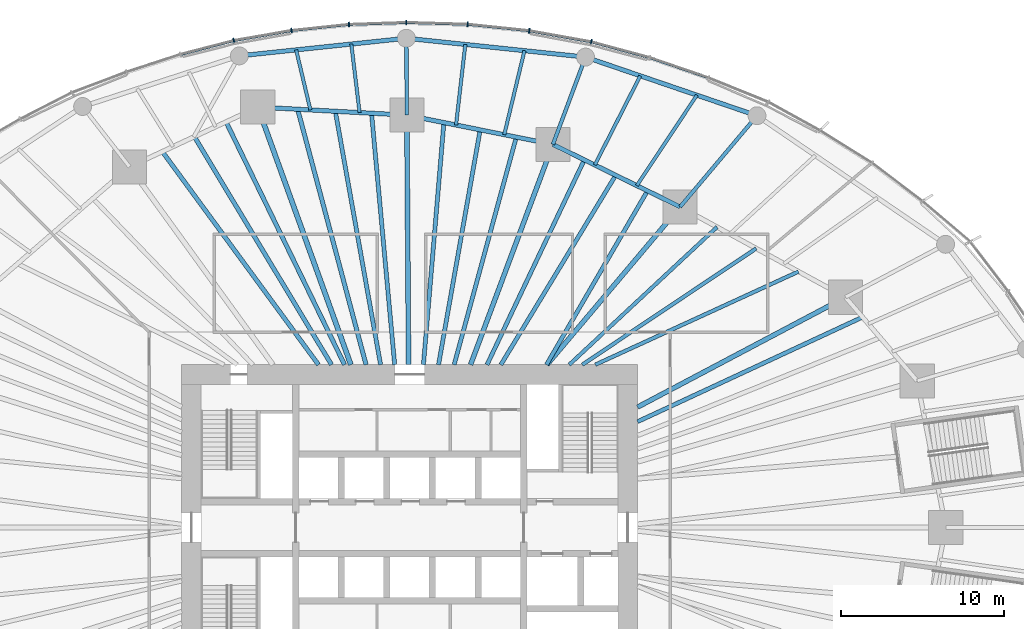
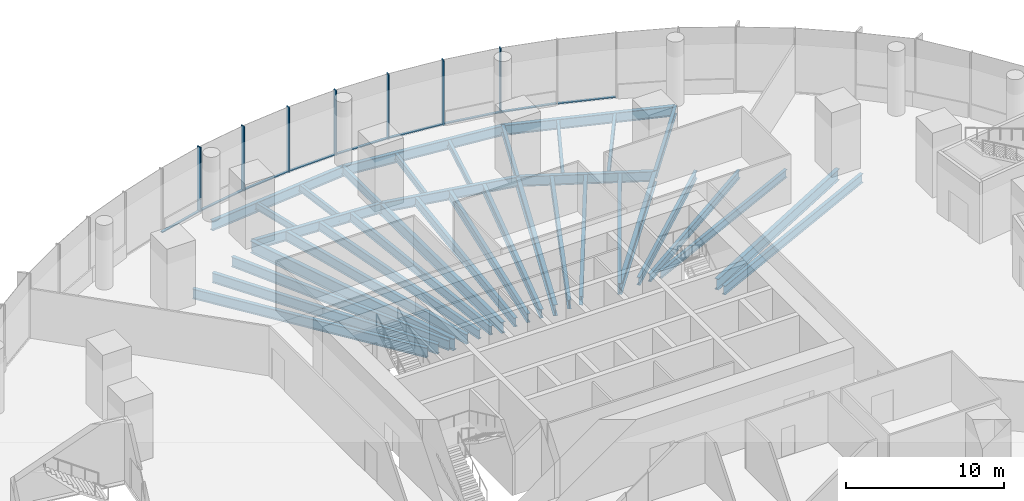
# One storey, part 6 of 28: 36 beams, 16 members, 4 elements without a shape of their own.
"""IFC4 building model written with IfcOpenShell, lengths in metres."""

from ifc_helpers import new_model, si_unit, direction, frame, origin, origin_2d, place, context, subcontext, project, spatial, rectangle, i_section, extrude, material, material_profile, profile_set, type_object, element, aggregate, save


model = new_model("IFC4")

# Units and contexts
model_context = context("Model", 3, precision=1e-05, world=origin(), true_north=direction((0.0, 1.0)))
body_context = subcontext(model_context, "Body", "Model", "MODEL_VIEW")
ifc_project = project(units=[si_unit("LENGTHUNIT", "METRE"), si_unit("AREAUNIT", "SQUARE_METRE"), si_unit("VOLUMEUNIT", "CUBIC_METRE"), si_unit("PLANEANGLEUNIT", "RADIAN"), si_unit("MASSUNIT", "GRAM", prefix="KILO")], contexts=[model_context])

# Site, building, storey
site_placement = place(None, origin())
site = spatial("IfcSite", under=ifc_project, at=site_placement, CompositionType="ELEMENT")
building_placement = place(site_placement, origin())
building = spatial("IfcBuilding", under=site, at=building_placement, Name="Ghaith Harvest Tower", CompositionType="ELEMENT")
storey_placement = place(building_placement, frame((0.0, 0.0, 5.0)))
storey = spatial("IfcBuildingStorey", under=building, at=storey_placement, Name="L01", CompositionType="ELEMENT", Elevation=5.0)

# Curtain wall, members
ifc_material_1 = material(Name="Black anodised aluminium and fritted glass", Category="aluminium")
curtain_wall_type = type_object("IfcCurtainWallType", Name="CW-P CURTAIN WALL", PredefinedType="NOTDEFINED", material=ifc_material_1)
curtain_wall_1_placement = place(storey_placement, origin())
curtain_wall_1 = element("IfcCurtainWall", 1, at=curtain_wall_1_placement, inside=storey, type_object=curtain_wall_type, Name="Curtain wall CW-P bay 05 L01", PredefinedType="NOTDEFINED")
ifc_material_2 = material(Name="Aluminium, black anodised", Category="aluminium")
ifc_material_profile_1 = material_profile(ifc_material_2, rectangle(XDim=0.080078125, YDim=0.300048828125, at=origin_2d()), Name="CW-P MULLION 80x300")
ifc_profile_set_1 = profile_set([ifc_material_profile_1], Name="Aluminium, black anodised")
member_type_1 = type_object("IfcMemberType", Name="CW-P MULLION 80x300", PredefinedType="MULLION", material=ifc_profile_set_1)
member_1_placement = place(storey_placement, frame((11.15234375, 29.832275390625, 0.0), z_axis=(0.0, 0.0, 1.0), x_axis=(-0.975988069156, 0.217823985973, 0.0)))
member_1 = element("IfcMember", 2, at=member_1_placement, type_object=member_type_1, Name="CW-P mullion 1 bay 05 L01", PredefinedType="MULLION", context=body_context, shape_type="SweptSolid", body=[
    extrude(rectangle(XDim=0.080078125, YDim=0.300048828125, at=origin_2d()), origin(), (0.0, 0.0, 1.0), 5.0),
])
member_2_placement = place(storey_placement, frame((7.34521484375, 30.514404296875, 0.0), z_axis=(0.0, 0.0, 1.0), x_axis=(-0.990090087046, 0.140433683755, 0.0)))
member_2 = element("IfcMember", 3, at=member_2_placement, type_object=member_type_1, Name="CW-P mullion 2 bay 05 L01", PredefinedType="MULLION", context=body_context, shape_type="SweptSolid", body=[
    extrude(rectangle(XDim=0.080078125, YDim=0.300048828125, at=origin_2d()), origin(), (0.0, 0.0, 1.0), 5.0),
])
member_3_placement = place(storey_placement, frame((3.560546875, 30.908935546875, 0.0), z_axis=(0.0, 0.0, 1.0), x_axis=(-0.997771996007, 0.066716144852, 0.0)))
member_3 = element("IfcMember", 4, at=member_3_placement, type_object=member_type_1, Name="CW-P mullion 3 bay 05 L01", PredefinedType="MULLION", context=body_context, shape_type="SweptSolid", body=[
    extrude(rectangle(XDim=0.080078125, YDim=0.300048828125, at=origin_2d()), origin(), (0.0, 0.0, 1.0), 5.0),
])

curtain_wall_2_placement = place(storey_placement, origin())
curtain_wall_2 = element("IfcCurtainWall", 5, at=curtain_wall_2_placement, inside=storey, type_object=curtain_wall_type, Name="Curtain wall CW-P bay 06 L01", PredefinedType="NOTDEFINED")
member_4_placement = place(storey_placement, frame((-0.21240234375, 31.019775390625, 0.0), z_axis=(0.0, 0.0, 1.0), x_axis=(-0.999998805287, -0.001545776643, 0.0)))
member_4 = element("IfcMember", 6, at=member_4_placement, type_object=member_type_1, Name="CW-P mullion 1 bay 06 L01", PredefinedType="MULLION", context=body_context, shape_type="SweptSolid", body=[
    extrude(rectangle(XDim=0.080078125, YDim=0.300048828125, at=origin_2d()), origin(), (0.0, 0.0, 1.0), 5.0),
])
member_5_placement = place(storey_placement, frame((-3.728515625, 30.897705078125, 0.0), z_axis=(0.0, 0.0, 1.0), x_axis=(-0.997563976527, -0.069757528158, 0.0)))
member_5 = element("IfcMember", 7, at=member_5_placement, type_object=member_type_1, Name="CW-P mullion 2 bay 06 L01", PredefinedType="MULLION", context=body_context, shape_type="SweptSolid", body=[
    extrude(rectangle(XDim=0.080078125, YDim=0.300048828125, at=origin_2d()), origin(), (0.0, 0.0, 1.0), 5.0),
])
member_6_placement = place(storey_placement, frame((-7.255615234375, 30.527099609375, 0.0), z_axis=(0.0, 0.0, 1.0), x_axis=(-0.990385532567, -0.138334727678, 0.0)))
member_6 = element("IfcMember", 8, at=member_6_placement, type_object=member_type_1, Name="CW-P mullion 3 bay 06 L01", PredefinedType="MULLION", context=body_context, shape_type="SweptSolid", body=[
    extrude(rectangle(XDim=0.080078125, YDim=0.300048828125, at=origin_2d()), origin(), (0.0, 0.0, 1.0), 5.0),
])

# Curtain wall, member
curtain_wall_3_placement = place(storey_placement, origin())
curtain_wall_3 = element("IfcCurtainWall", 9, at=curtain_wall_3_placement, inside=storey, type_object=curtain_wall_type, Name="Curtain wall CW-P bay 07 L01", PredefinedType="NOTDEFINED")
member_7_placement = place(storey_placement, frame((-10.802734375, 29.90966796875, 0.0), z_axis=(0.0, 0.0, 1.0), x_axis=(-0.97763881299, -0.21029111093, 0.0)))
member_7 = element("IfcMember", 10, at=member_7_placement, type_object=member_type_1, Name="CW-P mullion 1 bay 07 L01", PredefinedType="MULLION", context=body_context, shape_type="SweptSolid", body=[
    extrude(rectangle(XDim=0.080078125, YDim=0.300048828125, at=origin_2d()), origin(), (0.0, 0.0, 1.0), 5.0),
])

# Curtain wall, members
curtain_wall_4_placement = place(storey_placement, origin())
curtain_wall_4 = element("IfcCurtainWall", 11, at=curtain_wall_4_placement, inside=storey, type_object=curtain_wall_type, Name="Curtain wall CW-P bay 04 L01", PredefinedType="NOTDEFINED")
ifc_material_3 = material(Name="Aluminium, black anodised", Category="aluminium")
ifc_material_profile_2 = material_profile(ifc_material_3, rectangle(XDim=0.179931640625, YDim=0.080078125, at=origin_2d()), Name="CW-P TRANSOM 180x80")
ifc_profile_set_2 = profile_set([ifc_material_profile_2], Name="Aluminium, black anodised")
member_type_2 = type_object("IfcMemberType", Name="CW-P TRANSOM 180x80", PredefinedType="USERDEFINED", material=ifc_profile_set_2)
member_8_placement = place(storey_placement, frame((18.3095703125, 27.6357421875, 0.0400390625), z_axis=(-0.945637034145, 0.325223922328, 0.0), x_axis=(-0.325223922328, -0.945637034145, 0.0)))
member_8 = element("IfcMember", 12, at=member_8_placement, type_object=member_type_2, Name="CW-P transom 2 bay 04 L01", ObjectType="TRANSOM", PredefinedType="USERDEFINED", context=body_context, shape_type="SweptSolid", body=[
    extrude(rectangle(XDim=0.179931640625, YDim=0.080078125, at=origin_2d()), origin(), (0.0, 0.0, 1.0), 3.7392578125),
])
member_9_placement = place(storey_placement, frame((14.697265625, 28.875244140625, 0.0400390625), z_axis=(-0.965441599802, 0.260619487706, 0.0), x_axis=(-0.260619487706, -0.965441599802, 0.0)))
member_9 = element("IfcMember", 13, at=member_9_placement, type_object=member_type_2, Name="CW-P transom 3 bay 04 L01", ObjectType="TRANSOM", PredefinedType="USERDEFINED", context=body_context, shape_type="SweptSolid", body=[
    extrude(rectangle(XDim=0.179931640625, YDim=0.080078125, at=origin_2d()), origin(), (0.0, 0.0, 1.0), 3.6318359375),
])
aggregate(curtain_wall_4, [member_8, member_9])

# Member
member_10_placement = place(storey_placement, frame((11.113037109375, 29.83935546875, 0.0400390625), z_axis=(-0.98432862906, 0.176343840303, 0.0), x_axis=(-0.176343840303, -0.98432862906, 0.0)))
member_10 = element("IfcMember", 14, at=member_10_placement, type_object=member_type_2, Name="CW-P transom 1 bay 05 L01", ObjectType="TRANSOM", PredefinedType="USERDEFINED", context=body_context, shape_type="SweptSolid", body=[
    extrude(rectangle(XDim=0.179931640625, YDim=0.080078125, at=origin_2d()), origin(), (0.0, 0.0, 1.0), 3.787841796875),
])

member_11_placement = place(storey_placement, frame((7.305419921875, 30.5185546875, 0.0400390625), z_axis=(-0.994610526776, 0.103681724655, 0.0), x_axis=(-0.103681724655, -0.994610526776, 0.0)))
member_11 = element("IfcMember", 15, at=member_11_placement, type_object=member_type_2, Name="CW-P transom 2 bay 05 L01", ObjectType="TRANSOM", PredefinedType="USERDEFINED", context=body_context, shape_type="SweptSolid", body=[
    extrude(rectangle(XDim=0.179931640625, YDim=0.080078125, at=origin_2d()), origin(), (0.0, 0.0, 1.0), 3.72509765625),
])

member_12_placement = place(storey_placement, frame((3.5205078125, 30.91015625, 0.0400390625), z_axis=(-0.999569466238, 0.029340793535, 0.0), x_axis=(-0.029340793535, -0.999569466238, 0.0)))
member_12 = element("IfcMember", 16, at=member_12_placement, type_object=member_type_2, Name="CW-P transom 3 bay 05 L01", ObjectType="TRANSOM", PredefinedType="USERDEFINED", context=body_context, shape_type="SweptSolid", body=[
    extrude(rectangle(XDim=0.179931640625, YDim=0.080078125, at=origin_2d()), origin(), (0.0, 0.0, 1.0), 3.694580078125),
])

aggregate(curtain_wall_1, [member_1, member_10, member_2, member_11, member_3, member_12])

member_13_placement = place(storey_placement, frame((-0.252197265625, 31.018310546875, 0.0400390625), z_axis=(-0.999399573499, -0.034648123889, 0.0), x_axis=(0.034648123889, -0.999399573499, 0.0)))
member_13 = element("IfcMember", 17, at=member_13_placement, type_object=member_type_2, Name="CW-P transom 1 bay 06 L01", ObjectType="TRANSOM", PredefinedType="USERDEFINED", context=body_context, shape_type="SweptSolid", body=[
    extrude(rectangle(XDim=0.179931640625, YDim=0.080078125, at=origin_2d()), origin(), (0.0, 0.0, 1.0), 3.4384765625),
])

member_14_placement = place(storey_placement, frame((-3.768310546875, 30.8935546875, 0.0400390625), z_axis=(-0.994523190506, -0.104516140125, 0.0), x_axis=(0.104516140125, -0.994523190506, 0.0)))
member_14 = element("IfcMember", 18, at=member_14_placement, type_object=member_type_2, Name="CW-P transom 2 bay 06 L01", ObjectType="TRANSOM", PredefinedType="USERDEFINED", context=body_context, shape_type="SweptSolid", body=[
    extrude(rectangle(XDim=0.179931640625, YDim=0.080078125, at=origin_2d()), origin(), (0.0, 0.0, 1.0), 3.466552734375),
])

member_15_placement = place(storey_placement, frame((-7.294921875, 30.520263671875, 0.0400390625), z_axis=(-0.985183747241, -0.171502140429, 0.0), x_axis=(0.171502140429, -0.985183747241, 0.0)))
member_15 = element("IfcMember", 19, at=member_15_placement, type_object=member_type_2, Name="CW-P transom 3 bay 06 L01", ObjectType="TRANSOM", PredefinedType="USERDEFINED", context=body_context, shape_type="SweptSolid", body=[
    extrude(rectangle(XDim=0.179931640625, YDim=0.080078125, at=origin_2d()), origin(), (0.0, 0.0, 1.0), 3.5205078125),
])

aggregate(curtain_wall_2, [member_4, member_13, member_5, member_14, member_6, member_15])

member_16_placement = place(storey_placement, frame((-10.84130859375, 29.899658203125, 0.0400390625), z_axis=(-0.967935730802, -0.251197971801, 0.0), x_axis=(0.251197971801, -0.967935730802, 0.0)))
member_16 = element("IfcMember", 20, at=member_16_placement, type_object=member_type_2, Name="CW-P transom 1 bay 07 L01", ObjectType="TRANSOM", PredefinedType="USERDEFINED", context=body_context, shape_type="SweptSolid", body=[
    extrude(rectangle(XDim=0.179931640625, YDim=0.080078125, at=origin_2d()), origin(), (0.0, 0.0, 1.0), 3.305419921875),
])

aggregate(curtain_wall_3, [member_7, member_16])

# Beams
ifc_material_4 = material(Name="Steel ASTM A992 Grade 50", Category="steel")
ifc_material_profile_3 = material_profile(ifc_material_4, i_section(OverallWidth=0.26806640625, OverallDepth=0.77001953125, WebThickness=0.015625, FlangeThickness=0.025390625, at=origin_2d()), Name="W760X196")
ifc_profile_set_3 = profile_set([ifc_material_profile_3], Name="Steel ASTM A992 Grade 50")
beam_type_1 = type_object("IfcBeamType", Name="E760-196 W760X196", PredefinedType="SPANDREL", material=ifc_profile_set_3)
beam_1_placement = place(storey_placement, frame((16.60791015625, 19.695068359375, -0.635009765625), z_axis=(-0.897823733825, 0.440355019252, 0.0), x_axis=(-0.440355019252, -0.897823733825, 0.0)))
element("IfcBeam", 21, at=beam_1_placement, inside=storey, type_object=beam_type_1, Name="Edge beam E04 L01", PredefinedType="SPANDREL", context=body_context, shape_type="SweptSolid", body=[
    extrude(i_section(OverallWidth=0.26806640625, OverallDepth=0.77001953125, WebThickness=0.015625, FlangeThickness=0.025390625, at=origin_2d()), origin(), (0.0, 0.0, 1.0), 8.7021484375),
])
beam_2_placement = place(storey_placement, frame((8.794921875, 23.527099609375, -0.635009765625), z_axis=(-0.980450082464, 0.196767974517, 0.0), x_axis=(-0.196767974517, -0.980450082464, 0.0)))
element("IfcBeam", 22, at=beam_2_placement, inside=storey, type_object=beam_type_1, Name="Edge beam E05 L01", PredefinedType="SPANDREL", context=body_context, shape_type="SweptSolid", body=[
    extrude(i_section(OverallWidth=0.26806640625, OverallDepth=0.77001953125, WebThickness=0.015625, FlangeThickness=0.025390625, at=origin_2d()), origin(), (0.0, 0.0, 1.0), 9.146728515625),
])
beam_3_placement = place(storey_placement, frame((-0.173095703125, 25.326904296875, -0.635009765625), z_axis=(-0.998545840532, 0.053909223293, 0.0), x_axis=(-0.053909223293, -0.998545840532, 0.0)))
element("IfcBeam", 23, at=beam_3_placement, inside=storey, type_object=beam_type_1, Name="Edge beam E06 L01", PredefinedType="SPANDREL", context=body_context, shape_type="SweptSolid", body=[
    extrude(i_section(OverallWidth=0.26806640625, OverallDepth=0.77001953125, WebThickness=0.015625, FlangeThickness=0.025390625, at=origin_2d()), origin(), (0.0, 0.0, 1.0), 9.166259765625),
])
beam_4_placement = place(storey_placement, frame((21.327880859375, 25.2919921875, -0.635009765625), z_axis=(-0.946196876199, 0.323591519468, 0.0), x_axis=(-0.323591519468, -0.946196876199, 0.0)))
element("IfcBeam", 24, at=beam_4_placement, inside=storey, type_object=beam_type_1, Name="Podium edge beam PE04 L01", PredefinedType="SPANDREL", context=body_context, shape_type="SweptSolid", body=[
    extrude(i_section(OverallWidth=0.26806640625, OverallDepth=0.77001953125, WebThickness=0.015625, FlangeThickness=0.025390625, at=origin_2d()), origin(), (0.0, 0.0, 1.0), 11.12548828125),
])
beam_5_placement = place(storey_placement, frame((10.801025390625, 28.89208984375, -0.635009765625), z_axis=(-0.994521034138, 0.104536656999, 0.0), x_axis=(-0.104536656999, -0.994521034138, 0.0)))
element("IfcBeam", 25, at=beam_5_placement, inside=storey, type_object=beam_type_1, Name="Podium edge beam PE05 L01", PredefinedType="SPANDREL", context=body_context, shape_type="SweptSolid", body=[
    extrude(i_section(OverallWidth=0.26806640625, OverallDepth=0.77001953125, WebThickness=0.015625, FlangeThickness=0.025390625, at=origin_2d()), origin(), (0.0, 0.0, 1.0), 11.067626953125),
])
beam_6_placement = place(storey_placement, frame((-0.2060546875, 30.049072265625, -0.635009765625), z_axis=(-0.994480518853, -0.10492138782, 0.0), x_axis=(0.10492138782, -0.994480518853, 0.0)))
element("IfcBeam", 26, at=beam_6_placement, inside=storey, type_object=beam_type_1, Name="Podium edge beam PE06 L01", PredefinedType="SPANDREL", context=body_context, shape_type="SweptSolid", body=[
    extrude(i_section(OverallWidth=0.26806640625, OverallDepth=0.77001953125, WebThickness=0.015625, FlangeThickness=0.025390625, at=origin_2d()), origin(), (0.0, 0.0, 1.0), 10.312744140625),
])
ifc_material_5 = material(Name="Steel ASTM A992 Grade 50", Category="steel")
ifc_material_profile_4 = material_profile(ifc_material_5, i_section(OverallWidth=0.22802734375, OverallDepth=0.60302734375, WebThickness=0.010498046875, FlangeThickness=0.014892578125, at=origin_2d()), Name="W610X101")
ifc_profile_set_4 = profile_set([ifc_material_profile_4], Name="Steel ASTM A992 Grade 50")
beam_type_2 = type_object("IfcBeamType", Name="G610-101 W610X101", PredefinedType="BEAM", material=ifc_profile_set_4)
beam_7_placement = place(storey_placement, frame((16.60791015625, 19.695068359375, -0.551513671875), z_axis=(0.644676739739, 0.764455297084, 0.0), x_axis=(-0.764455297084, 0.644676739739, 0.0)))
element("IfcBeam", 27, at=beam_7_placement, inside=storey, type_object=beam_type_2, Name="Podium radial beam PR04 L01", PredefinedType="BEAM", context=body_context, shape_type="SweptSolid", body=[
    extrude(i_section(OverallWidth=0.22802734375, OverallDepth=0.60302734375, WebThickness=0.010498046875, FlangeThickness=0.014892578125, at=origin_2d()), origin(), (0.0, 0.0, 1.0), 7.321533203125),
])
beam_8_placement = place(storey_placement, frame((8.794921875, 23.527099609375, -0.551513671875), z_axis=(0.350240445637, 0.936659826319, 0.0), x_axis=(-0.936659826319, 0.350240445637, 0.0)))
element("IfcBeam", 28, at=beam_8_placement, inside=storey, type_object=beam_type_2, Name="Podium radial beam PR05 L01", PredefinedType="BEAM", context=body_context, shape_type="SweptSolid", body=[
    extrude(i_section(OverallWidth=0.22802734375, OverallDepth=0.60302734375, WebThickness=0.010498046875, FlangeThickness=0.014892578125, at=origin_2d()), origin(), (0.0, 0.0, 1.0), 5.727783203125),
])
beam_9_placement = place(storey_placement, frame((-0.173095703125, 25.326904296875, -0.551513671875), z_axis=(-0.00697945982, 0.999975643274, 0.0), x_axis=(-0.999975643274, -0.00697945982, 0.0)))
element("IfcBeam", 29, at=beam_9_placement, inside=storey, type_object=beam_type_2, Name="Podium radial beam PR06 L01", PredefinedType="BEAM", context=body_context, shape_type="SweptSolid", body=[
    extrude(i_section(OverallWidth=0.22802734375, OverallDepth=0.60302734375, WebThickness=0.010498046875, FlangeThickness=0.014892578125, at=origin_2d()), origin(), (0.0, 0.0, 1.0), 4.72216796875),
])
ifc_material_6 = material(Name="Steel ASTM A992 Grade 50", Category="steel")
ifc_material_profile_5 = material_profile(ifc_material_6, i_section(OverallWidth=0.2939453125, OverallDepth=0.85107421875, WebThickness=0.01611328125, FlangeThickness=0.02685546875, at=origin_2d()), Name="W840X226")
ifc_profile_set_5 = profile_set([ifc_material_profile_5], Name="Steel ASTM A992 Grade 50")
beam_type_3 = type_object("IfcBeamType", Name="G840-226 W840X226", PredefinedType="BEAM", material=ifc_profile_set_5)
beam_10_placement = place(storey_placement, frame((14.0, 7.39990234375, -0.675537109375), z_axis=(0.884082663971, 0.467330550324, 0.0), x_axis=(-0.467330550324, 0.884082663971, 0.0)))
element("IfcBeam", 30, at=beam_10_placement, inside=storey, type_object=beam_type_3, Name="Radial girder G03 L01", PredefinedType="BEAM", context=body_context, shape_type="SweptSolid", body=[
    extrude(i_section(OverallWidth=0.2939453125, OverallDepth=0.85107421875, WebThickness=0.01611328125, FlangeThickness=0.02685546875, at=origin_2d()), origin(), (0.0, 0.0, 1.0), 14.4375),
])
beam_11_placement = place(storey_placement, frame((8.4326171875, 10.0, -0.675537109375), z_axis=(0.644644245772, 0.764482698557, 0.0), x_axis=(-0.764482698557, 0.644644245772, 0.0)))
element("IfcBeam", 31, at=beam_11_placement, inside=storey, type_object=beam_type_3, Name="Radial girder G04 L01", PredefinedType="BEAM", context=body_context, shape_type="SweptSolid", body=[
    extrude(i_section(OverallWidth=0.2939453125, OverallDepth=0.85107421875, WebThickness=0.01611328125, FlangeThickness=0.02685546875, at=origin_2d()), origin(), (0.0, 0.0, 1.0), 12.681884765625),
])
beam_12_placement = place(storey_placement, frame((3.73828125, 10.0, -0.675537109375), z_axis=(0.350150596156, 0.936693418367, 0.0), x_axis=(-0.936693418367, 0.350150596156, 0.0)))
element("IfcBeam", 32, at=beam_12_placement, inside=storey, type_object=beam_type_3, Name="Radial girder G05 L01", PredefinedType="BEAM", context=body_context, shape_type="SweptSolid", body=[
    extrude(i_section(OverallWidth=0.2939453125, OverallDepth=0.85107421875, WebThickness=0.01611328125, FlangeThickness=0.02685546875, at=origin_2d()), origin(), (0.0, 0.0, 1.0), 14.44140625),
])
beam_13_placement = place(storey_placement, frame((-0.068359375, 10.0, -0.675537109375), z_axis=(-0.006833335732, 0.999976652489, 0.0), x_axis=(-0.999976652489, -0.006833335732, 0.0)))
element("IfcBeam", 33, at=beam_13_placement, inside=storey, type_object=beam_type_3, Name="Radial girder G06 L01", PredefinedType="BEAM", context=body_context, shape_type="SweptSolid", body=[
    extrude(i_section(OverallWidth=0.2939453125, OverallDepth=0.85107421875, WebThickness=0.01611328125, FlangeThickness=0.02685546875, at=origin_2d()), origin(), (0.0, 0.0, 1.0), 15.3271484375),
])
ifc_material_7 = material(Name="Steel ASTM A992 Grade 50", Category="steel")
ifc_material_profile_6 = material_profile(ifc_material_7, i_section(OverallWidth=0.31005859375, OverallDepth=0.927001953125, WebThickness=0.019287109375, FlangeThickness=0.031982421875, at=origin_2d()), Name="W920X289")
ifc_profile_set_6 = profile_set([ifc_material_profile_6], Name="Steel ASTM A992 Grade 50")
beam_type_4 = type_object("IfcBeamType", Name="G920-289 W920X289", PredefinedType="BEAM", material=ifc_profile_set_6)
beam_14_placement = place(storey_placement, frame((-3.61181640625, 10.0, -0.71337890625), z_axis=(-0.339694751271, 0.940535738799, 0.0), x_axis=(-0.940535738799, -0.339694751271, 0.0)))
element("IfcBeam", 34, at=beam_14_placement, inside=storey, type_object=beam_type_4, Name="Radial girder G07 L01", PredefinedType="BEAM", context=body_context, shape_type="SweptSolid", body=[
    extrude(i_section(OverallWidth=0.31005859375, OverallDepth=0.927001953125, WebThickness=0.019287109375, FlangeThickness=0.031982421875, at=origin_2d()), origin(), (0.0, 0.0, 1.0), 16.8212890625),
])
ifc_material_8 = material(Name="Steel ASTM A992 Grade 50", Category="steel")
ifc_material_profile_7 = material_profile(ifc_material_8, i_section(OverallWidth=0.208984375, OverallDepth=0.532958984375, WebThickness=0.01025390625, FlangeThickness=0.015625, at=origin_2d()), Name="W530X92")
ifc_profile_set_7 = profile_set([ifc_material_profile_7], Name="Steel ASTM A992 Grade 50")
beam_type_5 = type_object("IfcBeamType", Name="J530-92 W530X92", PredefinedType="JOIST", material=ifc_profile_set_7)
beam_15_placement = place(storey_placement, frame((13.947998046875, 20.99951171875, -0.5166015625), z_axis=(0.553279971475, 0.832995362031, 0.0), x_axis=(-0.832995362031, 0.553279971475, 0.0)))
element("IfcBeam", 35, at=beam_15_placement, inside=storey, type_object=beam_type_5, Name="Podium joist PJ04.1 L01", PredefinedType="JOIST", context=body_context, shape_type="SweptSolid", body=[
    extrude(i_section(OverallWidth=0.208984375, OverallDepth=0.532958984375, WebThickness=0.01025390625, FlangeThickness=0.015625, at=origin_2d()), origin(), (0.0, 0.0, 1.0), 6.668212890625),
])
beam_16_placement = place(storey_placement, frame((11.366943359375, 22.265625, -0.5166015625), z_axis=(0.45469406772, 0.89064768836, 0.0), x_axis=(-0.89064768836, 0.45469406772, 0.0)))
element("IfcBeam", 36, at=beam_16_placement, inside=storey, type_object=beam_type_5, Name="Podium joist PJ04.2 L01", PredefinedType="JOIST", context=body_context, shape_type="SweptSolid", body=[
    extrude(i_section(OverallWidth=0.208984375, OverallDepth=0.532958984375, WebThickness=0.01025390625, FlangeThickness=0.015625, at=origin_2d()), origin(), (0.0, 0.0, 1.0), 6.14892578125),
])
beam_17_placement = place(storey_placement, frame((5.8076171875, 24.126708984375, -0.5166015625), z_axis=(0.234018407734, 0.972232166122, 0.0), x_axis=(-0.972232166122, 0.234018407734, 0.0)))
element("IfcBeam", 37, at=beam_17_placement, inside=storey, type_object=beam_type_5, Name="Podium joist PJ05.1 L01", PredefinedType="JOIST", context=body_context, shape_type="SweptSolid", body=[
    extrude(i_section(OverallWidth=0.208984375, OverallDepth=0.532958984375, WebThickness=0.01025390625, FlangeThickness=0.015625, at=origin_2d()), origin(), (0.0, 0.0, 1.0), 5.30712890625),
])
beam_18_placement = place(storey_placement, frame((2.84765625, 24.720703125, -0.5166015625), z_axis=(0.114417568625, 0.99343274558, 0.0), x_axis=(-0.99343274558, 0.114417568625, 0.0)))
element("IfcBeam", 38, at=beam_18_placement, inside=storey, type_object=beam_type_5, Name="Podium joist PJ05.2 L01", PredefinedType="JOIST", context=body_context, shape_type="SweptSolid", body=[
    extrude(i_section(OverallWidth=0.208984375, OverallDepth=0.532958984375, WebThickness=0.01025390625, FlangeThickness=0.015625, at=origin_2d()), origin(), (0.0, 0.0, 1.0), 4.980224609375),
])
beam_19_placement = place(storey_placement, frame((-3.0751953125, 25.483642578125, -0.5166015625), z_axis=(-0.119837775303, 0.99279348689, 0.0), x_axis=(-0.99279348689, -0.119837775303, 0.0)))
element("IfcBeam", 39, at=beam_19_placement, inside=storey, type_object=beam_type_5, Name="Podium joist PJ06.1 L01", PredefinedType="JOIST", context=body_context, shape_type="SweptSolid", body=[
    extrude(i_section(OverallWidth=0.208984375, OverallDepth=0.532958984375, WebThickness=0.01025390625, FlangeThickness=0.015625, at=origin_2d()), origin(), (0.0, 0.0, 1.0), 4.239501953125),
])
beam_20_placement = place(storey_placement, frame((-6.095703125, 25.646728515625, -0.5166015625), z_axis=(-0.231246156391, 0.972895274505, 0.0), x_axis=(-0.972895274505, -0.231246156391, 0.0)))
element("IfcBeam", 40, at=beam_20_placement, inside=storey, type_object=beam_type_5, Name="Podium joist PJ06.2 L01", PredefinedType="JOIST", context=body_context, shape_type="SweptSolid", body=[
    extrude(i_section(OverallWidth=0.208984375, OverallDepth=0.532958984375, WebThickness=0.01025390625, FlangeThickness=0.015625, at=origin_2d()), origin(), (0.0, 0.0, 1.0), 3.791259765625),
])
ifc_material_9 = material(Name="Steel ASTM A992 Grade 50", Category="steel")
ifc_material_profile_8 = material_profile(ifc_material_9, i_section(OverallWidth=0.22900390625, OverallDepth=0.612060546875, WebThickness=0.011962890625, FlangeThickness=0.01953125, at=origin_2d()), Name="W610X125")
ifc_profile_set_8 = profile_set([ifc_material_profile_8], Name="Steel ASTM A992 Grade 50")
beam_type_6 = type_object("IfcBeamType", Name="J610-125 W610X125", PredefinedType="JOIST", material=ifc_profile_set_8)
beam_21_placement = place(storey_placement, frame((11.39990234375, 10.0, -0.555908203125), z_axis=(0.909014022454, 0.416765529983, 0.0), x_axis=(-0.416765529983, 0.909014022454, 0.0)))
element("IfcBeam", 41, at=beam_21_placement, inside=storey, type_object=beam_type_6, Name="Joist J03.1 L01", PredefinedType="JOIST", context=body_context, shape_type="SweptSolid", body=[
    extrude(i_section(OverallWidth=0.22900390625, OverallDepth=0.612060546875, WebThickness=0.011962890625, FlangeThickness=0.01953125, at=origin_2d()), origin(), (0.0, 0.0, 1.0), 13.72998046875),
])
beam_22_placement = place(storey_placement, frame((10.60009765625, 10.0, -0.555908203125), z_axis=(0.831116486766, 0.556098359489, 0.0), x_axis=(-0.556098359489, 0.831116486766, 0.0)))
element("IfcBeam", 42, at=beam_22_placement, inside=storey, type_object=beam_type_6, Name="Joist J03.2 L01", PredefinedType="JOIST", context=body_context, shape_type="SweptSolid", body=[
    extrude(i_section(OverallWidth=0.22900390625, OverallDepth=0.612060546875, WebThickness=0.011962890625, FlangeThickness=0.01953125, at=origin_2d()), origin(), (0.0, 0.0, 1.0), 12.84716796875),
])
beam_23_placement = place(storey_placement, frame((9.800048828125, 10.0, -0.555908203125), z_axis=(0.731538123562, 0.681800538116, 0.0), x_axis=(-0.681800538116, 0.731538123562, 0.0)))
element("IfcBeam", 43, at=beam_23_placement, inside=storey, type_object=beam_type_6, Name="Joist J03.3 L01", PredefinedType="JOIST", context=body_context, shape_type="SweptSolid", body=[
    extrude(i_section(OverallWidth=0.22900390625, OverallDepth=0.612060546875, WebThickness=0.011962890625, FlangeThickness=0.01953125, at=origin_2d()), origin(), (0.0, 0.0, 1.0), 12.404052734375),
])
ifc_material_10 = material(Name="Steel ASTM A992 Grade 50", Category="steel")
ifc_material_profile_9 = material_profile(ifc_material_10, i_section(OverallWidth=0.25390625, OverallDepth=0.68408203125, WebThickness=0.012451171875, FlangeThickness=0.018798828125, at=origin_2d()), Name="W690X140")
ifc_profile_set_9 = profile_set([ifc_material_profile_9], Name="Steel ASTM A992 Grade 50")
beam_type_7 = type_object("IfcBeamType", Name="J690-140 W690X140", PredefinedType="JOIST", material=ifc_profile_set_9)
beam_24_placement = place(storey_placement, frame((14.0, 6.506103515625, -0.592041015625), z_axis=(0.906862619792, 0.421426374144, 0.0), x_axis=(-0.421426374144, 0.906862619792, 0.0)))
element("IfcBeam", 44, at=beam_24_placement, inside=storey, type_object=beam_type_7, Name="Joist J02.3 L01", PredefinedType="JOIST", context=body_context, shape_type="SweptSolid", body=[
    extrude(i_section(OverallWidth=0.25390625, OverallDepth=0.68408203125, WebThickness=0.012451171875, FlangeThickness=0.018798828125, at=origin_2d()), origin(), (0.0, 0.0, 1.0), 15.229736328125),
])
beam_25_placement = place(storey_placement, frame((8.39990234375, 10.0, -0.592041015625), z_axis=(0.50228574324, 0.864701701246, 0.0), x_axis=(-0.864701701246, 0.50228574324, 0.0)))
element("IfcBeam", 45, at=beam_25_placement, inside=storey, type_object=beam_type_7, Name="Joist J04.1 L01", PredefinedType="JOIST", context=body_context, shape_type="SweptSolid", body=[
    extrude(i_section(OverallWidth=0.25390625, OverallDepth=0.68408203125, WebThickness=0.012451171875, FlangeThickness=0.018798828125, at=origin_2d()), origin(), (0.0, 0.0, 1.0), 12.349365234375),
])
beam_26_placement = place(storey_placement, frame((5.60009765625, 10.0, -0.592041015625), z_axis=(0.518319612023, 0.85518698528, 0.0), x_axis=(-0.85518698528, 0.518319612023, 0.0)))
element("IfcBeam", 46, at=beam_26_placement, inside=storey, type_object=beam_type_7, Name="Joist J04.2 L01", PredefinedType="JOIST", context=body_context, shape_type="SweptSolid", body=[
    extrude(i_section(OverallWidth=0.25390625, OverallDepth=0.68408203125, WebThickness=0.012451171875, FlangeThickness=0.018798828125, at=origin_2d()), origin(), (0.0, 0.0, 1.0), 13.60546875),
])
beam_27_placement = place(storey_placement, frame((4.75, 10.0, -0.592041015625), z_axis=(0.429059675117, 0.903276145588, 0.0), x_axis=(-0.903276145588, 0.429059675117, 0.0)))
element("IfcBeam", 47, at=beam_27_placement, inside=storey, type_object=beam_type_7, Name="Joist J04.3 L01", PredefinedType="JOIST", context=body_context, shape_type="SweptSolid", body=[
    extrude(i_section(OverallWidth=0.25390625, OverallDepth=0.68408203125, WebThickness=0.012451171875, FlangeThickness=0.018798828125, at=origin_2d()), origin(), (0.0, 0.0, 1.0), 13.92724609375),
])
beam_28_placement = place(storey_placement, frame((2.73095703125, 10.0, -0.592041015625), z_axis=(0.263455282447, 0.964671609487, 0.0), x_axis=(-0.964671609487, 0.263455282447, 0.0)))
element("IfcBeam", 48, at=beam_28_placement, inside=storey, type_object=beam_type_7, Name="Joist J05.1 L01", PredefinedType="JOIST", context=body_context, shape_type="SweptSolid", body=[
    extrude(i_section(OverallWidth=0.25390625, OverallDepth=0.68408203125, WebThickness=0.012451171875, FlangeThickness=0.018798828125, at=origin_2d()), origin(), (0.0, 0.0, 1.0), 14.48974609375),
])
beam_29_placement = place(storey_placement, frame((1.772705078125, 10.0, -0.592041015625), z_axis=(0.174552574354, 0.984647855218, 0.0), x_axis=(-0.984647855218, 0.174552574354, 0.0)))
element("IfcBeam", 49, at=beam_29_placement, inside=storey, type_object=beam_type_7, Name="Joist J05.2 L01", PredefinedType="JOIST", context=body_context, shape_type="SweptSolid", body=[
    extrude(i_section(OverallWidth=0.25390625, OverallDepth=0.68408203125, WebThickness=0.012451171875, FlangeThickness=0.018798828125, at=origin_2d()), origin(), (0.0, 0.0, 1.0), 14.648193359375),
])
beam_30_placement = place(storey_placement, frame((0.844970703125, 10.0, -0.592041015625), z_axis=(0.084219252187, 0.996447247756, 0.0), x_axis=(-0.996447247756, 0.084219252187, 0.0)))
element("IfcBeam", 50, at=beam_30_placement, inside=storey, type_object=beam_type_7, Name="Joist J05.3 L01", PredefinedType="JOIST", context=body_context, shape_type="SweptSolid", body=[
    extrude(i_section(OverallWidth=0.25390625, OverallDepth=0.68408203125, WebThickness=0.012451171875, FlangeThickness=0.018798828125, at=origin_2d()), origin(), (0.0, 0.0, 1.0), 14.92333984375),
])
beam_31_placement = place(storey_placement, frame((-0.92041015625, 10.0, -0.592041015625), z_axis=(-0.091647013776, 0.995791556936, 0.0), x_axis=(-0.995791556936, -0.091647013776, 0.0)))
element("IfcBeam", 51, at=beam_31_placement, inside=storey, type_object=beam_type_7, Name="Joist J06.1 L01", PredefinedType="JOIST", context=body_context, shape_type="SweptSolid", body=[
    extrude(i_section(OverallWidth=0.25390625, OverallDepth=0.68408203125, WebThickness=0.012451171875, FlangeThickness=0.018798828125, at=origin_2d()), origin(), (0.0, 0.0, 1.0), 15.50927734375),
])
beam_32_placement = place(storey_placement, frame((-1.785888671875, 10.0, -0.592041015625), z_axis=(-0.175789035136, 0.984427861819, 0.0), x_axis=(-0.984427861819, -0.175789035136, 0.0)))
element("IfcBeam", 52, at=beam_32_placement, inside=storey, type_object=beam_type_7, Name="Joist J06.2 L01", PredefinedType="JOIST", context=body_context, shape_type="SweptSolid", body=[
    extrude(i_section(OverallWidth=0.25390625, OverallDepth=0.68408203125, WebThickness=0.012451171875, FlangeThickness=0.018798828125, at=origin_2d()), origin(), (0.0, 0.0, 1.0), 15.810302734375),
])
ifc_material_11 = material(Name="Steel ASTM A992 Grade 50", Category="steel")
ifc_material_profile_10 = material_profile(ifc_material_11, i_section(OverallWidth=0.26806640625, OverallDepth=0.77001953125, WebThickness=0.015625, FlangeThickness=0.025390625, at=origin_2d()), Name="W760X196")
ifc_profile_set_10 = profile_set([ifc_material_profile_10], Name="Steel ASTM A992 Grade 50")
beam_type_8 = type_object("IfcBeamType", Name="J760-196 W760X196", PredefinedType="JOIST", material=ifc_profile_set_10)
beam_33_placement = place(storey_placement, frame((-2.677978515625, 10.0, -0.635009765625), z_axis=(-0.258679482451, 0.965963211183, 0.0), x_axis=(-0.965963211183, -0.258679482451, 0.0)))
element("IfcBeam", 53, at=beam_33_placement, inside=storey, type_object=beam_type_8, Name="Joist J06.3 L01", PredefinedType="JOIST", context=body_context, shape_type="SweptSolid", body=[
    extrude(i_section(OverallWidth=0.26806640625, OverallDepth=0.77001953125, WebThickness=0.015625, FlangeThickness=0.025390625, at=origin_2d()), origin(), (0.0, 0.0, 1.0), 16.24169921875),
])
beam_34_placement = place(storey_placement, frame((-4.0, 10.0, -0.635009765625), z_axis=(-0.438505380705, 0.898728563635, 0.0), x_axis=(-0.898728563635, -0.438505380705, 0.0)))
element("IfcBeam", 54, at=beam_34_placement, inside=storey, type_object=beam_type_8, Name="Joist J07.1 L01", PredefinedType="JOIST", context=body_context, shape_type="SweptSolid", body=[
    extrude(i_section(OverallWidth=0.26806640625, OverallDepth=0.77001953125, WebThickness=0.015625, FlangeThickness=0.025390625, at=origin_2d()), origin(), (0.0, 0.0, 1.0), 16.592529296875),
])
beam_35_placement = place(storey_placement, frame((-4.800048828125, 10.0, -0.635009765625), z_axis=(-0.515358894704, 0.85697445099, 0.0), x_axis=(-0.85697445099, -0.515358894704, 0.0)))
element("IfcBeam", 55, at=beam_35_placement, inside=storey, type_object=beam_type_8, Name="Joist J07.2 L01", PredefinedType="JOIST", context=body_context, shape_type="SweptSolid", body=[
    extrude(i_section(OverallWidth=0.26806640625, OverallDepth=0.77001953125, WebThickness=0.015625, FlangeThickness=0.025390625, at=origin_2d()), origin(), (0.0, 0.0, 1.0), 16.34228515625),
])
beam_36_placement = place(storey_placement, frame((-5.60009765625, 10.0, -0.635009765625), z_axis=(-0.591008736068, 0.806665155992, 0.0), x_axis=(-0.806665155992, -0.591008736068, 0.0)))
element("IfcBeam", 56, at=beam_36_placement, inside=storey, type_object=beam_type_8, Name="Joist J07.3 L01", PredefinedType="JOIST", context=body_context, shape_type="SweptSolid", body=[
    extrude(i_section(OverallWidth=0.26806640625, OverallDepth=0.77001953125, WebThickness=0.015625, FlangeThickness=0.025390625, at=origin_2d()), origin(), (0.0, 0.0, 1.0), 16.22509765625),
])

save(model, "model.ifc")
